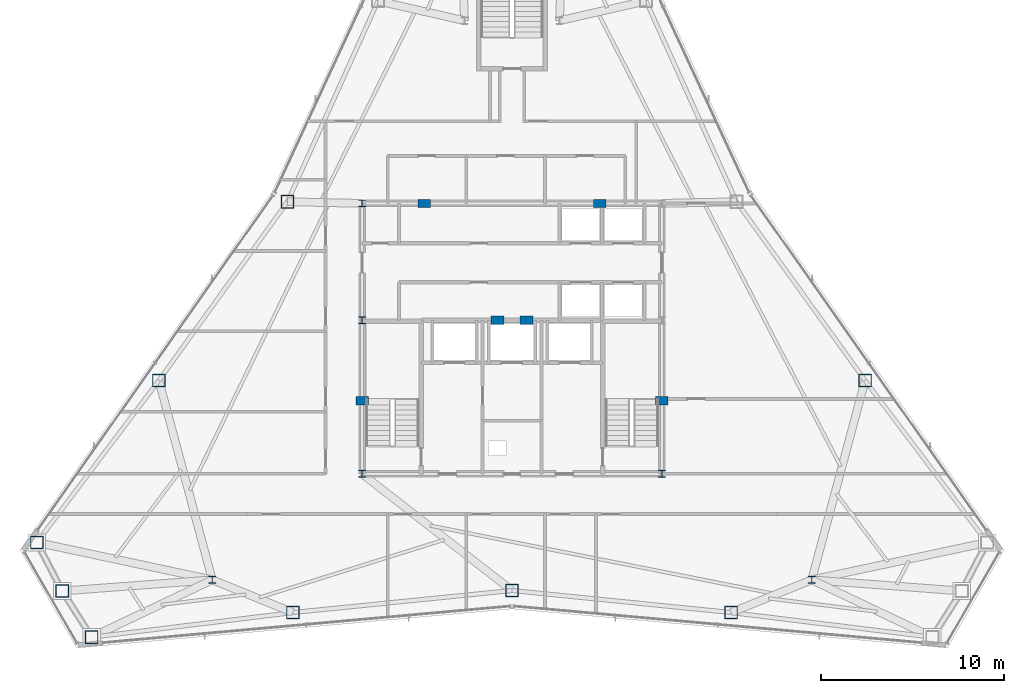
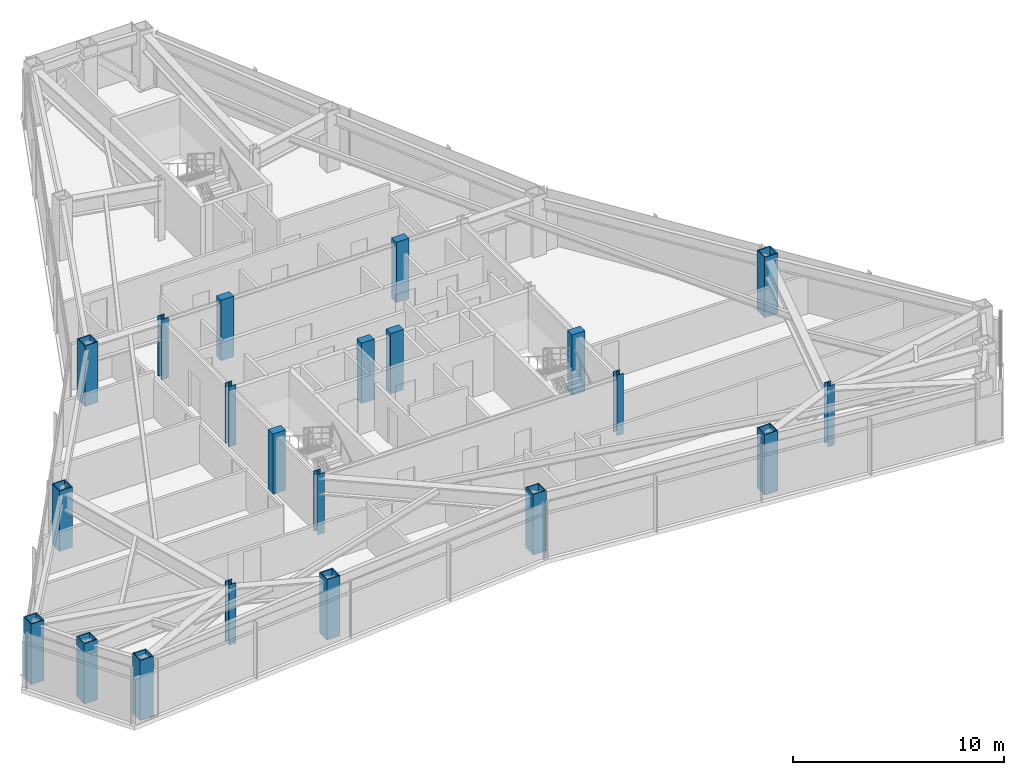
# One storey, part 1 of 12: 21 columns.
"""IFC4 building model written with IfcOpenShell, lengths in metres."""

import ifcopenshell
import ifcopenshell.guid

model = None  # the IFC model being written
_history = None  # IfcOwnerHistory: only IFC2X3 demands one
_inside = {}  # id of a spatial element -> (the spatial element, [elements in it])
_under = {}  # id of a project, library or spatial element -> (it, [spatial elements below it])
_declared = {}  # id of a project -> (the project, [libraries it declares])
_typed = {}  # id of a type object -> (the type object, [elements of that type])
_made_of = {}  # id of a material, layer set ... -> (it, [elements and type objects made of it])


def new_model(schema):
    """Start an empty IFC model of exactly this schema.

    Asked for "IFC4X3", IfcOpenShell would pick the latest addendum, in which some entities
    have other attributes; the version numbers below select the first issue.
    IFC2X3 requires an IfcOwnerHistory on every rooted entity: one is made here for all.
    """
    global model, _history
    if schema == "IFC4X3":
        model = ifcopenshell.file(schema_version=(4, 3, 0, 0))
    else:
        model = ifcopenshell.file(schema=schema)
    _inside.clear()
    _under.clear()
    _declared.clear()
    _typed.clear()
    _made_of.clear()
    _history = None
    if model.schema == "IFC2X3":
        org = make("IfcOrganization", Name="unknown")
        user = make(
            "IfcPersonAndOrganization",
            ThePerson=make("IfcPerson", FamilyName="unknown"),
            TheOrganization=org,
        )
        app = make(
            "IfcApplication",
            ApplicationDeveloper=org,
            Version="unknown",
            ApplicationFullName="unknown",
            ApplicationIdentifier="unknown",
        )
        _history = make(
            "IfcOwnerHistory",
            OwningUser=user,
            OwningApplication=app,
            ChangeAction="ADDED",
            CreationDate=0,
        )
    return model


def make(cls, **values):
    """One entity of the class cls with the attributes given. An attribute that is None is left unset."""
    return model.create_entity(
        cls, **{name: value for name, value in values.items() if value is not None}
    )


def rooted(cls, **values):
    """An entity with a GlobalId (a new one), such as an element, a storey or a relation."""
    return make(cls, GlobalId=ifcopenshell.guid.new(), OwnerHistory=_history, **values)


def si_unit(unit_type, name, prefix=None):
    """IfcSIUnit, for example si_unit("LENGTHUNIT", "METRE", prefix="MILLI")."""
    return make("IfcSIUnit", UnitType=unit_type, Prefix=prefix, Name=name)


def assignment(units):
    """IfcUnitAssignment: the units of a project."""
    return None if units is None else make("IfcUnitAssignment", Units=units)


def point(xyz):
    """IfcCartesianPoint."""
    return None if xyz is None else make("IfcCartesianPoint", Coordinates=xyz)


def direction(xyz):
    """IfcDirection."""
    return None if xyz is None else make("IfcDirection", DirectionRatios=xyz)


def frame(location, z_axis=None, x_axis=None):
    """IfcAxis2Placement3D, a coordinate frame: its origin and axes. An axis left out is left unset."""
    return make(
        "IfcAxis2Placement3D",
        Location=point(location),
        Axis=direction(z_axis),
        RefDirection=direction(x_axis),
    )


def frame_2d(location, x_axis=None):
    """IfcAxis2Placement2D, a coordinate frame in the plane: its origin and x axis."""
    return make(
        "IfcAxis2Placement2D", Location=point(location), RefDirection=direction(x_axis)
    )


def origin():
    """The frame at (0, 0, 0) with its axes left unset."""
    return frame((0.0, 0.0, 0.0))


def origin_2d():
    """The frame at (0, 0) in the plane with its x axis left unset."""
    return frame_2d((0.0, 0.0))


def place(relative_to, where):
    """IfcLocalPlacement: puts the frame where relative to a parent placement (None: the world)."""
    return make(
        "IfcLocalPlacement", PlacementRelTo=relative_to, RelativePlacement=where
    )


def context(
    kind, dimensions, precision=None, world=None, true_north=None, identifier=None
):
    """IfcGeometricRepresentationContext, for example the 3D "Model" context."""
    return make(
        "IfcGeometricRepresentationContext",
        ContextIdentifier=identifier,
        ContextType=kind,
        CoordinateSpaceDimension=dimensions,
        Precision=precision,
        WorldCoordinateSystem=world,
        TrueNorth=true_north,
    )


def subcontext(parent, identifier, kind, view, scale=None):
    """IfcGeometricRepresentationSubContext, for example "Body" below "Model"."""
    return make(
        "IfcGeometricRepresentationSubContext",
        ContextIdentifier=identifier,
        ContextType=kind,
        ParentContext=parent,
        TargetScale=scale,
        TargetView=view,
    )


def project(units=None, contexts=None):
    """IfcProject with its units and contexts."""
    return rooted(
        "IfcProject",
        Name="project",
        RepresentationContexts=contexts,
        UnitsInContext=assignment(units),
    )


def spatial(cls, under=None, at=None, **own):
    """A site, building, storey or space (cls), placed at a placement, below another one or the project."""
    s = rooted(cls, ObjectPlacement=at, **own)
    if under is not None:
        _under.setdefault(under.id(), (under, []))[1].append(s)
    return s


def profile(cls, at=None, kind="AREA", **sizes):
    """A parametric profile (cls). Its sizes go by their IFC names, for example OverallWidth=200.0."""
    return make(cls, ProfileType=kind, Position=at, **sizes)


def rectangle(**sizes):
    """IfcRectangleProfileDef."""
    return profile("IfcRectangleProfileDef", **sizes)


def hollow_rectangle(**sizes):
    """IfcRectangleHollowProfileDef."""
    return profile("IfcRectangleHollowProfileDef", **sizes)


def i_section(**sizes):
    """IfcIShapeProfileDef."""
    return profile("IfcIShapeProfileDef", **sizes)


def extrude(swept, where, along, depth):
    """IfcExtrudedAreaSolid: the profile swept, set in the frame where, extruded along a direction by depth."""
    return make(
        "IfcExtrudedAreaSolid",
        SweptArea=swept,
        Position=where,
        ExtrudedDirection=direction(along),
        Depth=depth,
    )


def shape(context_of_items, identifier, shape_type, items):
    """IfcShapeRepresentation: the items that make up one representation, for example the "Body"."""
    return make(
        "IfcShapeRepresentation",
        ContextOfItems=context_of_items,
        RepresentationIdentifier=identifier,
        RepresentationType=shape_type,
        Items=items,
    )


def material(Name=None, Category=None):
    """IfcMaterial."""
    return make("IfcMaterial", Name=Name, Category=Category)


def material_profile(
    of_material, cross_section, Name=None, Category=None, Priority=None
):
    """IfcMaterialProfile: a cross section and its material."""
    return make(
        "IfcMaterialProfile",
        Name=Name,
        Material=of_material,
        Profile=cross_section,
        Priority=Priority,
        Category=Category,
    )


def profile_set(profiles, Name=None, composite=None):
    """IfcMaterialProfileSet."""
    return make(
        "IfcMaterialProfileSet",
        Name=Name,
        MaterialProfiles=profiles,
        CompositeProfile=composite,
    )


def made_of(thing, what):
    """Note that an element or type object is made of a material, layer set ...; save() writes the relation."""
    if what is not None:
        _made_of.setdefault(what.id(), (what, []))[1].append(thing)
    return thing


def type_object(cls, material=None, **own):
    """A type object (cls), such as IfcWallType, which elements share."""
    return made_of(rooted(cls, **own), material)


def element(
    cls,
    number,
    at=None,
    inside=None,
    cuts=None,
    type_object=None,
    material=None,
    context=None,
    identifier="Body",
    shape_type=None,
    held_by="IfcProductDefinitionShape",
    body=None,
    shapes=None,
    **own,
):
    """One element of the class cls, such as IfcWall. Its Tag is "e" and its number.

    at: its placement. inside: the storey or other place that contains it. cuts: it is an
    opening in that element (IfcRelVoidsElement). A single representation is given by context,
    identifier, shape_type and body (its items); several are given by shapes. held_by: the class
    of the entity that holds the representations. save() writes the other relations.
    """
    e = rooted(cls, Tag="e%d" % number, ObjectPlacement=at, **own)
    if body is not None:
        shapes = [shape(context, identifier, shape_type, body)]
    if shapes is not None:
        e.Representation = make(held_by, Representations=shapes)
    if inside is not None:
        _inside.setdefault(inside.id(), (inside, []))[1].append(e)
    if cuts is not None:
        rooted(
            "IfcRelVoidsElement", RelatingBuildingElement=cuts, RelatedOpeningElement=e
        )
    if type_object is not None:
        _typed.setdefault(type_object.id(), (type_object, []))[1].append(e)
    return made_of(e, material)


def aggregate(whole, parts):
    """IfcRelAggregates: a whole, such as a stair, and the parts it consists of."""
    return rooted("IfcRelAggregates", RelatingObject=whole, RelatedObjects=parts)


def save(model, path):
    """Write the relations noted so far, then the file.

    IfcRelAggregates (storeys below a building ...), IfcRelContainedInSpatialStructure (elements
    in a storey), IfcRelDefinesByType, IfcRelAssociatesMaterial and IfcRelDeclares: one each for
    every whole, place, type object, material and project.
    """
    for whole, parts in _under.values():
        aggregate(whole, parts)
    for where, things in _inside.values():
        rooted(
            "IfcRelContainedInSpatialStructure",
            RelatedElements=things,
            RelatingStructure=where,
        )
    for kind, things in _typed.values():
        rooted("IfcRelDefinesByType", RelatedObjects=things, RelatingType=kind)
    for what, things in _made_of.values():
        rooted("IfcRelAssociatesMaterial", RelatedObjects=things, RelatingMaterial=what)
    for by, libraries in _declared.values():
        rooted("IfcRelDeclares", RelatingContext=by, RelatedDefinitions=libraries)
    model.write(path)


model = new_model("IFC4")

# Units and contexts
model_context = context("Model", 3, precision=1e-05, world=origin(), true_north=direction((0.0, 1.0)))
body_context = subcontext(model_context, "Body", "Model", "MODEL_VIEW")
ifc_project = project(units=[si_unit("LENGTHUNIT", "METRE"), si_unit("AREAUNIT", "SQUARE_METRE"), si_unit("VOLUMEUNIT", "CUBIC_METRE"), si_unit("PLANEANGLEUNIT", "RADIAN"), si_unit("MASSUNIT", "GRAM", prefix="KILO")], contexts=[model_context])

# Site, building, storey
site_placement = place(None, origin())
site = spatial("IfcSite", under=ifc_project, at=site_placement, CompositionType="ELEMENT")
building_placement = place(site_placement, origin())
building = spatial("IfcBuilding", under=site, at=building_placement, Name="Varakhsha Concourse Tower", CompositionType="ELEMENT")
storey_placement = place(building_placement, frame((0.0, 0.0, 239.89990234375)))
storey = spatial("IfcBuildingStorey", under=building, at=storey_placement, Name="L68", CompositionType="ELEMENT", Elevation=239.89990234375)

# Columns
ifc_material_1 = material(Name="Structural Steel ASTM A992 Grade 50", Category="steel")
ifc_material_profile_1 = material_profile(ifc_material_1, i_section(OverallWidth=0.3740234375, OverallDepth=0.3720703125, WebThickness=0.01611328125, FlangeThickness=0.02587890625, at=origin_2d()), Name="W14X132")
ifc_profile_set_1 = profile_set([ifc_material_profile_1], Name="Structural Steel ASTM A992 Grade 50")
column_type_1 = type_object("IfcColumnType", Name="CL-CORE-W14X132", PredefinedType="COLUMN", material=ifc_profile_set_1)
for number, where, z_axis, x_axis, name in (
    (1, (31.800048828125, 16.39990234375, 0.0), (0.0, 0.0, 1.0), (1.0, 0.0, 0.0), "L68 Core Column CC-SW"),
    (2, (48.199951171875, 16.39990234375, 0.0), (0.0, 0.0, 1.0), (1.0, 0.0, 0.0), "L68 Core Column CC-SE"),
    (3, (31.800048828125, 24.800048828125, 0.0), (0.0, 0.0, 1.0), (1.0, 0.0, 0.0), "L68 Core Column CC-MW"),
    (4, (31.800048828125, 31.199951171875, 0.0), (0.0, 0.0, 1.0), (1.0, 0.0, 0.0), "L68 Core Column CC-NW"),
    (5, (23.60009765625, 10.60009765625, 0.0), (0.0, 0.0, 1.0), (1.0, 0.0, 0.0), "L68 Core Column SS-W"),
    (6, (56.39990234375, 10.60009765625, 0.0), (0.0, 0.0, 1.0), (1.0, 0.0, 0.0), "L68 Core Column SS-E"),
):
    element("IfcColumn", number, at=place(storey_placement, frame(where, z_axis=z_axis, x_axis=x_axis)), inside=storey, type_object=column_type_1, Name=name, PredefinedType="COLUMN", context=body_context, shape_type="SweptSolid", body=[
        extrude(i_section(OverallWidth=0.3740234375, OverallDepth=0.3720703125, WebThickness=0.01611328125, FlangeThickness=0.02587890625, at=origin_2d()), origin(), (0.0, 0.0, 1.0), 3.5),
    ])
ifc_material_2 = material(Name="Concrete fc 65 MPa", Category="concrete")
ifc_material_profile_2 = material_profile(ifc_material_2, rectangle(XDim=0.699951171875, YDim=0.449951171875, at=origin_2d()), Name="RC 700x450")
ifc_profile_set_2 = profile_set([ifc_material_profile_2], Name="Concrete fc 65 MPa")
column_type_2 = type_object("IfcColumnType", Name="CL-PIL-700X450", PredefinedType="PILASTER", material=ifc_profile_set_2)
for number, where, z_axis, x_axis, name in (
    (7, (31.800048828125, 20.39990234375, 0.0), (0.0, 0.0, 1.0), (1.0, 0.0, 0.0), "L68 Core Boundary Pilaster PIL-W1"),
    (8, (48.199951171875, 20.39990234375, 0.0), (0.0, 0.0, 1.0), (1.0, 0.0, 0.0), "L68 Core Boundary Pilaster PIL-E1"),
    (9, (35.199951171875, 31.199951171875, 0.0), (0.0, 0.0, 1.0), (1.0, 0.0, 0.0), "L68 Core Boundary Pilaster PIL-N1"),
    (10, (44.800048828125, 31.199951171875, 0.0), (0.0, 0.0, 1.0), (1.0, 0.0, 0.0), "L68 Core Boundary Pilaster PIL-N2"),
    (11, (39.199951171875, 24.800048828125, 0.0), (0.0, 0.0, 1.0), (1.0, 0.0, 0.0), "L68 Core Boundary Pilaster PIL-M1"),
    (12, (40.800048828125, 24.800048828125, 0.0), (0.0, 0.0, 1.0), (1.0, 0.0, 0.0), "L68 Core Boundary Pilaster PIL-M2"),
):
    element("IfcColumn", number, at=place(storey_placement, frame(where, z_axis=z_axis, x_axis=x_axis)), inside=storey, type_object=column_type_2, Name=name, PredefinedType="PILASTER", context=body_context, shape_type="SweptSolid", body=[
        extrude(rectangle(XDim=0.699951171875, YDim=0.449951171875, at=origin_2d()), origin(), (0.0, 0.0, 1.0), 3.5),
    ])
ifc_material_3 = material(Name="Structural Steel ASTM A572 Grade 50", Category="steel")
ifc_material_profile_3 = material_profile(ifc_material_3, hollow_rectangle(XDim=0.719970703125, YDim=0.719970703125, WallThickness=0.050048828125, at=origin_2d()), Name="BOX 720x720x50")
ifc_profile_set_3 = profile_set([ifc_material_profile_3], Name="Structural Steel ASTM A572 Grade 50")
column_type_3 = type_object("IfcColumnType", Name="CL-TUBE-720", PredefinedType="COLUMN", material=ifc_profile_set_3)
for number, where, z_axis, x_axis, name in (
    (13, (27.7177734375, 31.291259765625, 0.0), (0.0, 0.0, 1.0), (1.0, 0.0, 0.0), "L68 Framed-Tube Column TC05"),
    (14, (20.67919921875, 21.51025390625, 0.0), (0.0, 0.0, 1.0), (1.0, 0.0, 0.0), "L68 Framed-Tube Column TC06"),
    (15, (14.002685546875, 12.64697265625, 0.0), (0.0, 0.0, 1.0), (1.0, 0.0, 0.0), "L68 Framed-Tube Column TC07"),
    (16, (15.389892578125, 9.9912109375, 0.0), (0.0, 0.0, 1.0), (1.0, 0.0, 0.0), "L68 Framed-Tube Column TC08"),
    (17, (16.99609375, 7.4619140625, 0.0), (0.0, 0.0, 1.0), (1.0, 0.0, 0.0), "L68 Framed-Tube Column TC09"),
    (18, (28.01025390625, 8.8125, 0.0), (0.0, 0.0, 1.0), (1.0, 0.0, 0.0), "L68 Framed-Tube Column TC10"),
    (19, (40.0, 10.017578125, 0.0), (0.0, 0.0, 1.0), (1.0, 0.0, 0.0), "L68 Framed-Tube Column TC11"),
    (20, (51.98974609375, 8.8125, 0.0), (0.0, 0.0, 1.0), (1.0, 0.0, 0.0), "L68 Framed-Tube Column TC12"),
    (21, (59.32080078125, 21.51025390625, 0.0), (0.0, 0.0, 1.0), (1.0, 0.0, 0.0), "L68 Framed-Tube Column TC16"),
):
    element("IfcColumn", number, at=place(storey_placement, frame(where, z_axis=z_axis, x_axis=x_axis)), inside=storey, type_object=column_type_3, Name=name, PredefinedType="COLUMN", context=body_context, shape_type="SweptSolid", body=[
        extrude(hollow_rectangle(XDim=0.719970703125, YDim=0.719970703125, WallThickness=0.050048828125, at=origin_2d()), origin(), (0.0, 0.0, 1.0), 3.5),
    ])

save(model, "model.ifc")
